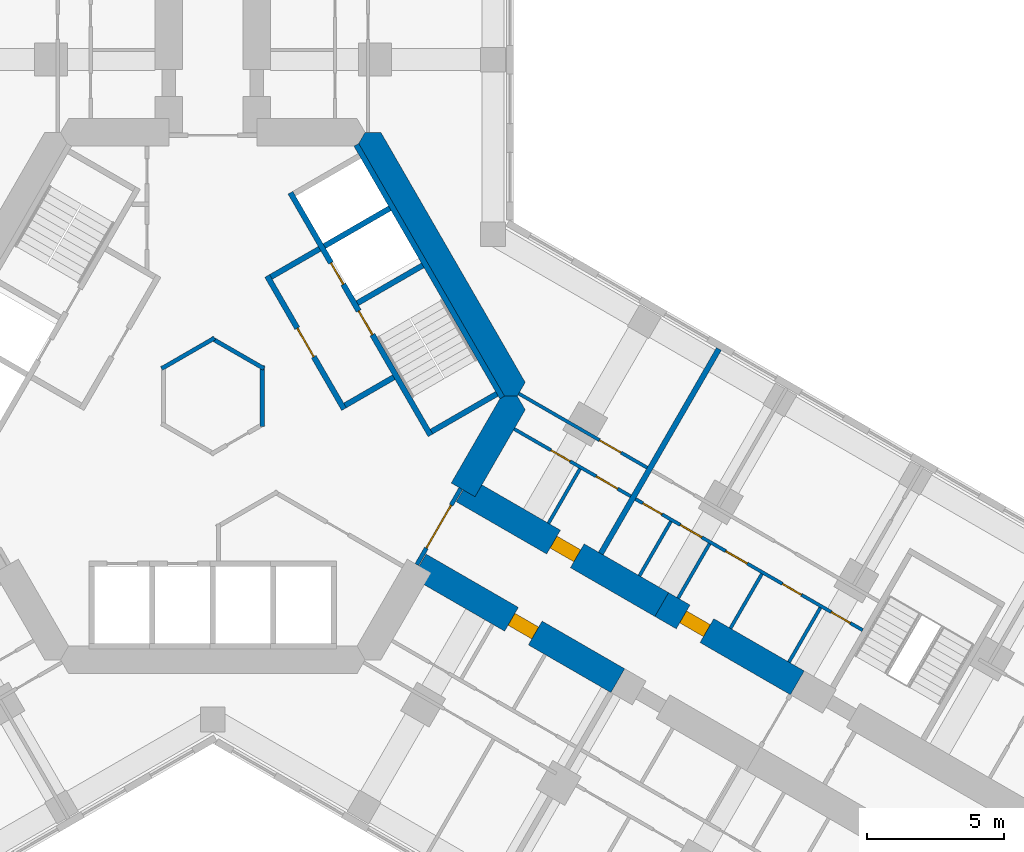
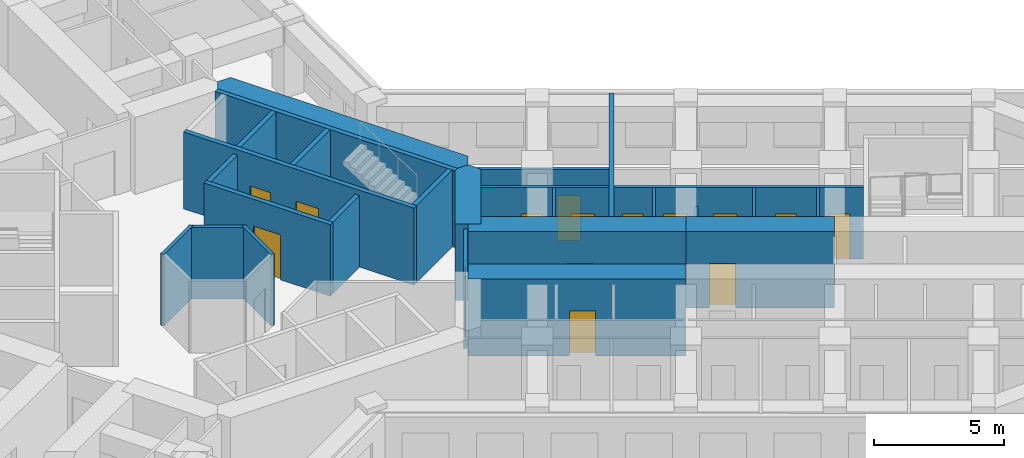
# One storey, part 16 of 22: 26 walls, 15 doors, 15 openings.
"""IFC4 building model written with IfcOpenShell, lengths in metres."""

from ifc_helpers import new_model, si_unit, direction, frame, frame_2d, origin, place, context, subcontext, project, spatial, polyline, rectangle, outline, extrude, material, layer, layer_set, type_object, element, fill, save


model = new_model("IFC4")

# Units and contexts
model_context = context("Model", 3, precision=1e-05, world=origin(), true_north=direction((0.0, 1.0)))
body_context = subcontext(model_context, "Body", "Model", "MODEL_VIEW")
ifc_project = project(units=[si_unit("LENGTHUNIT", "METRE"), si_unit("AREAUNIT", "SQUARE_METRE"), si_unit("VOLUMEUNIT", "CUBIC_METRE"), si_unit("PLANEANGLEUNIT", "RADIAN"), si_unit("MASSUNIT", "GRAM", prefix="KILO")], contexts=[model_context])

# Site, building, storey
site_placement = place(None, origin())
site = spatial("IfcSite", under=ifc_project, at=site_placement, CompositionType="ELEMENT")
building_placement = place(site_placement, origin())
building = spatial("IfcBuilding", under=site, at=building_placement, Name="Kosmar Iwan School Tower", CompositionType="ELEMENT")
storey_placement = place(building_placement, frame((0.0, 0.0, 91.60009765625)))
storey = spatial("IfcBuildingStorey", under=building, at=storey_placement, Name="L22", CompositionType="ELEMENT", Elevation=91.60009765625)

# Walls
ifc_material_1 = material(Name="Gypsum board on steel studs, fire-rated", Category="steel")
ifc_layer_1 = layer(ifc_material_1, 0.14990234375)
ifc_layer_set_1 = layer_set([ifc_layer_1], Name="Core room partition 150")
wall_type_1 = type_object("IfcWallType", Name="Core room partition 150", PredefinedType="PARTITIONING", material=ifc_layer_set_1)
for number, where, z_axis, x_axis, name in (
    (1, (-1.864990234375, 1.001708984375, 0.0), (0.0, 0.0, 1.0), (0.866023215828, 0.500003789632, 0.0), "Core room partition L22-CW7"),
    (2, (-0.06494140625, 2.115966796875, 0.0), (0.0, 0.0, 1.0), (0.866023215828, -0.500003789632, 0.0), "Core room partition L22-CW8"),
    (3, (1.800048828125, 1.1142578125, 0.0), (0.0, 0.0, 1.0), (0.0, -1.0, 0.0), "Core room partition L22-CW9"),
):
    element("IfcWall", number, at=place(storey_placement, frame(where, z_axis=z_axis, x_axis=x_axis)), inside=storey, type_object=wall_type_1, Name=name, PredefinedType="PARTITIONING", context=body_context, shape_type="SweptSolid", body=[
        extrude(rectangle(XDim=2.228515625, YDim=0.14990234375, at=frame_2d((1.1142578125, 0.0))), origin(), (0.0, 0.0, 1.0), 3.349853515625),
    ])
ifc_material_2 = material(Name="Concrete C50/60", Category="concrete")
ifc_layer_2 = layer(ifc_material_2, 1.0)
ifc_layer_set_2 = layer_set([ifc_layer_2], Name="Core wall 1000")
wall_type_2 = type_object("IfcWallType", Name="Core wall 1000", PredefinedType="SHEAR", material=ifc_layer_set_2)
wall_1_placement = place(storey_placement, origin())
element("IfcWall", 4, at=wall_1_placement, inside=storey, type_object=wall_type_2, Name="Core wall F030", PredefinedType="SHEAR", context=body_context, shape_type="SweptSolid", body=[
    extrude(outline(polyline([(10.5078125, 0.0), (11.085205078125, 0.0), (11.373779296875, 0.5), (6.119873046875, 9.60009765625), (5.54248046875, 9.60009765625), (5.25390625, 9.10009765625), (10.5078125, 0.0)])), origin(), (0.0, 0.0, 1.0), 3.599853515625),
])
wall_2_placement = place(storey_placement, origin())
element("IfcWall", 5, at=wall_2_placement, inside=storey, type_object=wall_type_2, Name="Core wall F330b", PredefinedType="SHEAR", context=body_context, shape_type="SweptSolid", body=[
    extrude(outline(polyline([(9.546875, -3.664306640625), (11.373779296875, -0.5), (11.085205078125, 0.0), (10.5078125, 0.0), (8.680908203125, -3.164306640625), (9.546875, -3.664306640625)])), origin(), (0.0, 0.0, 1.0), 3.599853515625),
])

# Wall, opening, door
ifc_material_3 = material(Name="Concrete C50/60", Category="concrete")
ifc_layer_3 = layer(ifc_material_3, 1.0)
ifc_layer_set_3 = layer_set([ifc_layer_3], Name="Corridor buttress wall 1000")
wall_type_3 = type_object("IfcWallType", Name="Corridor buttress wall 1000", PredefinedType="SHEAR", material=ifc_layer_set_3)
wall_3_placement = place(storey_placement, frame((9.11376953125, -3.414306640625, 0.0), z_axis=(0.0, 0.0, 1.0), x_axis=(0.866026859388, -0.499997478812, 0.0)))
wall_3 = element("IfcWall", 6, at=wall_3_placement, inside=storey, type_object=wall_type_3, Name="Corridor wall CL", PredefinedType="SHEAR", context=body_context, shape_type="SweptSolid", body=[
    extrude(rectangle(XDim=8.35009765625, YDim=1.0, at=frame_2d((4.175048828125, 0.0))), origin(), (0.0, 0.0, 1.0), 3.599853515625),
])
opening_1_placement = place(wall_3_placement, frame((3.800048828125, 0.0, 0.0)))
opening_1 = element("IfcOpeningElement", 7, at=opening_1_placement, cuts=wall_3, Name="Opening D1", PredefinedType="OPENING", context=body_context, shape_type="SweptSolid", body=[
    extrude(rectangle(XDim=1.0, YDim=2.10009765625, at=frame_2d((0.5, 1.050048828125))), frame((0.0, 0.511962890625, 0.0), z_axis=(0.0, -1.0, 0.0), x_axis=(1.0, 0.0, 0.0)), (0.0, 0.0, 1.0), 1.02392578125),
])
ifc_material_4 = material(Name="Timber fire door in steel frame", Category="steel")
door_type_1 = type_object("IfcDoorType", Name="Flat entrance door 1000x2100", OperationType="SINGLE_SWING_LEFT", PredefinedType="DOOR", material=ifc_material_4)
door_1_placement = place(opening_1_placement, origin())
door_1 = element("IfcDoor", 8, at=door_1_placement, inside=storey, type_object=door_type_1, Name="Flat L22-CL1 entrance door", OperationType="SINGLE_SWING_LEFT", OverallHeight=2.10009765625, OverallWidth=1.0, PredefinedType="DOOR", context=body_context, shape_type="SweptSolid", body=[
    extrude(rectangle(XDim=1.0, YDim=2.10009765625, at=frame_2d((0.5, 1.050048828125))), frame((0.0, 0.25, 0.0), z_axis=(0.0, -1.0, 0.0), x_axis=(1.0, 0.0, 0.0)), (0.0, 0.0, 1.0), 0.5),
])
fill(opening_1, door_1)

wall_4_placement = place(storey_placement, frame((16.34521484375, -7.58935546875, 0.0), z_axis=(0.0, 0.0, 1.0), x_axis=(0.866015111908, -0.50001782563, 0.0)))
wall_4 = element("IfcWall", 9, at=wall_4_placement, inside=storey, type_object=wall_type_3, Name="Corridor wall CL bay 2", PredefinedType="SHEAR", context=body_context, shape_type="SweptSolid", body=[
    extrude(rectangle(XDim=5.699951171875, YDim=1.0, at=frame_2d((2.85009765625, 0.0))), origin(), (0.0, 0.0, 1.0), 3.599853515625),
])
opening_2_placement = place(wall_4_placement, frame((0.89990234375, 0.0, 0.0)))
opening_2 = element("IfcOpeningElement", 10, at=opening_2_placement, cuts=wall_4, Name="Opening D1", PredefinedType="OPENING", context=body_context, shape_type="SweptSolid", body=[
    extrude(rectangle(XDim=1.0, YDim=2.10009765625, at=frame_2d((0.5, 1.050048828125))), frame((0.0, 0.511962890625, 0.0), z_axis=(0.0, -1.0, 0.0), x_axis=(1.0, 0.0, 0.0)), (0.0, 0.0, 1.0), 1.02392578125),
])
door_2_placement = place(opening_2_placement, origin())
door_2 = element("IfcDoor", 11, at=door_2_placement, inside=storey, type_object=door_type_1, Name="Flat L22-CL2 entrance door", OperationType="SINGLE_SWING_LEFT", OverallHeight=2.10009765625, OverallWidth=1.0, PredefinedType="DOOR", context=body_context, shape_type="SweptSolid", body=[
    extrude(rectangle(XDim=1.0, YDim=2.10009765625, at=frame_2d((0.5, 1.050048828125))), frame((0.0, 0.25, 0.0), z_axis=(0.0, -1.0, 0.0), x_axis=(1.0, 0.0, 0.0)), (0.0, 0.0, 1.0), 0.5),
])
fill(opening_2, door_2)

wall_5_placement = place(storey_placement, frame((7.513916015625, -6.185546875, 0.0), z_axis=(0.0, 0.0, 1.0), x_axis=(0.866019549707, -0.500010139422, 0.0)))
wall_5 = element("IfcWall", 12, at=wall_5_placement, inside=storey, type_object=wall_type_3, Name="Corridor wall CR", PredefinedType="SHEAR", context=body_context, shape_type="SweptSolid", body=[
    extrude(rectangle(XDim=8.349853515625, YDim=1.0, at=frame_2d((4.1748046875, 0.0))), origin(), (0.0, 0.0, 1.0), 3.599853515625),
])
opening_3_placement = place(wall_5_placement, frame((3.8798828125, 0.0, 0.0)))
opening_3 = element("IfcOpeningElement", 13, at=opening_3_placement, cuts=wall_5, Name="Opening D1", PredefinedType="OPENING", context=body_context, shape_type="SweptSolid", body=[
    extrude(rectangle(XDim=1.0, YDim=2.10009765625, at=frame_2d((0.5, 1.050048828125))), frame((0.0, 0.511962890625, 0.0), z_axis=(0.0, -1.0, 0.0), x_axis=(1.0, 0.0, 0.0)), (0.0, 0.0, 1.0), 1.02392578125),
])
door_3_placement = place(opening_3_placement, origin())
door_3 = element("IfcDoor", 14, at=door_3_placement, inside=storey, type_object=door_type_1, Name="Flat L22-CR1 entrance door", OperationType="SINGLE_SWING_RIGHT", OverallHeight=2.10009765625, OverallWidth=1.0, PredefinedType="DOOR", context=body_context, shape_type="SweptSolid", body=[
    extrude(rectangle(XDim=1.0, YDim=2.10009765625, at=frame_2d((0.5, 1.050048828125))), frame((0.0, 0.25, 0.0), z_axis=(0.0, -1.0, 0.0), x_axis=(1.0, 0.0, 0.0)), (0.0, 0.0, 1.0), 0.5),
])
fill(opening_3, door_3)

ifc_material_5 = material(Name="Steel framed glazed screen", Category="steel")
ifc_layer_4 = layer(ifc_material_5, 0.14990234375)
ifc_layer_set_4 = layer_set([ifc_layer_4], Name="Corridor screen wall 150")
wall_type_4 = type_object("IfcWallType", Name="Corridor screen wall 150", PredefinedType="PARTITIONING", material=ifc_layer_set_4)
wall_6_placement = place(storey_placement, frame((7.42724609375, -6.1357421875, 0.0), z_axis=(0.0, 0.0, 1.0), x_axis=(0.499995408039, 0.866028054938, 0.0)))
wall_6 = element("IfcWall", 15, at=wall_6_placement, inside=storey, type_object=wall_type_4, Name="Corridor screen C L22", PredefinedType="PARTITIONING", context=body_context, shape_type="SweptSolid", body=[
    extrude(rectangle(XDim=3.2001953125, YDim=0.14990234375, at=frame_2d((1.60009765625, 0.0))), origin(), (0.0, 0.0, 1.0), 3.349853515625),
])
opening_4_placement = place(wall_6_placement, frame((0.699951171875, 0.0, 0.0)))
opening_4 = element("IfcOpeningElement", 16, at=opening_4_placement, cuts=wall_6, Name="Opening D9", PredefinedType="OPENING", context=body_context, shape_type="SweptSolid", body=[
    extrude(rectangle(XDim=1.800048828125, YDim=2.10009765625, at=frame_2d((0.89990234375, 1.050048828125))), frame((0.0, 0.0869140625, 0.0), z_axis=(0.0, -1.0, 0.0), x_axis=(1.0, 0.0, 0.0)), (0.0, 0.0, 1.0), 0.173828125),
])
ifc_material_6 = material(Name="Steel framed glazed smoke door", Category="steel")
door_type_2 = type_object("IfcDoorType", Name="Corridor smoke door pair 1800x2100", OperationType="DOUBLE_DOOR_DOUBLE_SWING", PredefinedType="DOOR", material=ifc_material_6)
door_4_placement = place(opening_4_placement, origin())
door_4 = element("IfcDoor", 17, at=door_4_placement, inside=storey, type_object=door_type_2, Name="Corridor doors C L22", OperationType="DOUBLE_DOOR_DOUBLE_SWING", OverallHeight=2.10009765625, OverallWidth=1.800048828125, PredefinedType="DOOR", context=body_context, shape_type="SweptSolid", body=[
    extrude(rectangle(XDim=1.800048828125, YDim=2.10009765625, at=frame_2d((0.89990234375, 1.050048828125))), frame((0.0, 0.02490234375, 0.0), z_axis=(0.0, -1.0, 0.0), x_axis=(1.0, 0.0, 0.0)), (0.0, 0.0, 1.0), 0.050048828125),
])
fill(opening_4, door_4)

# Wall, openings, doors
ifc_material_7 = material(Name="Gypsum board on steel studs", Category="steel")
ifc_layer_5 = layer(ifc_material_7, 0.1201171875)
ifc_layer_set_5 = layer_set([ifc_layer_5], Name="Dwelling partition 120")
wall_type_5 = type_object("IfcWallType", Name="Dwelling partition 120", PredefinedType="PARTITIONING", material=ifc_layer_set_5)
wall_7_placement = place(storey_placement, frame((10.971923828125, -1.1962890625, 0.0), z_axis=(0.0, 0.0, 1.0), x_axis=(0.866023786258, -0.500002801628, 0.0)))
wall_7 = element("IfcWall", 18, at=wall_7_placement, inside=storey, type_object=wall_type_5, Name="Partition L22-CL1-W1", PredefinedType="PARTITIONING", context=body_context, shape_type="SweptSolid", body=[
    extrude(rectangle(XDim=4.89990234375, YDim=0.1201171875, at=frame_2d((2.449951171875, 0.0))), origin(), (0.0, 0.0, 1.0), 3.349853515625),
])
opening_5_placement = place(wall_7_placement, frame((1.550048828125, 0.0, 0.0)))
opening_5 = element("IfcOpeningElement", 19, at=opening_5_placement, cuts=wall_7, Name="Opening D3", PredefinedType="OPENING", context=body_context, shape_type="SweptSolid", body=[
    extrude(rectangle(XDim=0.800048828125, YDim=2.10009765625, at=frame_2d((0.39990234375, 1.050048828125))), frame((0.0, 0.072021484375, 0.0), z_axis=(0.0, -1.0, 0.0), x_axis=(1.0, 0.0, 0.0)), (0.0, 0.0, 1.0), 0.14404296875),
])
opening_6_placement = place(wall_7_placement, frame((3.449951171875, 0.0, 0.0)))
opening_6 = element("IfcOpeningElement", 20, at=opening_6_placement, cuts=wall_7, Name="Opening D2", PredefinedType="OPENING", context=body_context, shape_type="SweptSolid", body=[
    extrude(rectangle(XDim=0.89990234375, YDim=2.10009765625, at=frame_2d((0.449951171875, 1.050048828125))), frame((0.0, 0.072021484375, 0.0), z_axis=(0.0, -1.0, 0.0), x_axis=(1.0, 0.0, 0.0)), (0.0, 0.0, 1.0), 0.14404296875),
])
ifc_material_8 = material(Name="Timber door in timber frame", Category="wood")
door_type_3 = type_object("IfcDoorType", Name="Internal door 900x2100", OperationType="SINGLE_SWING_LEFT", PredefinedType="DOOR", material=ifc_material_8)
door_5_placement = place(opening_6_placement, origin())
door_5 = element("IfcDoor", 21, at=door_5_placement, inside=storey, type_object=door_type_3, Name="Entrance hall door L22-CL1-S2", OperationType="SINGLE_SWING_RIGHT", OverallHeight=2.10009765625, OverallWidth=0.89990234375, PredefinedType="DOOR", context=body_context, shape_type="SweptSolid", body=[
    extrude(rectangle(XDim=0.89990234375, YDim=2.10009765625, at=frame_2d((0.449951171875, 1.050048828125))), frame((0.0, 0.02490234375, 0.0), z_axis=(0.0, -1.0, 0.0), x_axis=(1.0, 0.0, 0.0)), (0.0, 0.0, 1.0), 0.050048828125),
])
fill(opening_6, door_5)
ifc_material_9 = material(Name="Timber door in timber frame", Category="wood")
door_type_4 = type_object("IfcDoorType", Name="Sanitary room door 800x2100", OperationType="SINGLE_SWING_LEFT", PredefinedType="DOOR", material=ifc_material_9)
door_6_placement = place(opening_5_placement, origin())
door_6 = element("IfcDoor", 22, at=door_6_placement, inside=storey, type_object=door_type_4, Name="Bathroom door L22-CL1-S1", OperationType="SINGLE_SWING_LEFT", OverallHeight=2.10009765625, OverallWidth=0.800048828125, PredefinedType="DOOR", context=body_context, shape_type="SweptSolid", body=[
    extrude(rectangle(XDim=0.800048828125, YDim=2.10009765625, at=frame_2d((0.39990234375, 1.050048828125))), frame((0.0, 0.02490234375, 0.0), z_axis=(0.0, -1.0, 0.0), x_axis=(1.0, 0.0, 0.0)), (0.0, 0.0, 1.0), 0.050048828125),
])
fill(opening_5, door_6)

# Wall, opening, door
wall_8_placement = place(storey_placement, frame((11.138916015625, 0.093017578125, 0.0), z_axis=(0.0, 0.0, 1.0), x_axis=(0.866028230842, -0.499995103361, 0.0)))
wall_8 = element("IfcWall", 23, at=wall_8_placement, inside=storey, type_object=wall_type_5, Name="Partition L22-CL1-W2", PredefinedType="PARTITIONING", context=body_context, shape_type="SweptSolid", body=[
    extrude(rectangle(XDim=5.39990234375, YDim=0.1201171875, at=frame_2d((2.699951171875, 0.0))), origin(), (0.0, 0.0, 1.0), 3.349853515625),
])
opening_7_placement = place(wall_8_placement, frame((3.39990234375, 0.0, 0.0)))
opening_7 = element("IfcOpeningElement", 24, at=opening_7_placement, cuts=wall_8, Name="Opening D2", PredefinedType="OPENING", context=body_context, shape_type="SweptSolid", body=[
    extrude(rectangle(XDim=0.89990234375, YDim=2.10009765625, at=frame_2d((0.449951171875, 1.050048828125))), frame((0.0, 0.072021484375, 0.0), z_axis=(0.0, -1.0, 0.0), x_axis=(1.0, 0.0, 0.0)), (0.0, 0.0, 1.0), 0.14404296875),
])
door_7_placement = place(opening_7_placement, origin())
door_7 = element("IfcDoor", 25, at=door_7_placement, inside=storey, type_object=door_type_3, Name="Studio living room and kitchen door L22-CL1-F1", OperationType="SINGLE_SWING_RIGHT", OverallHeight=2.10009765625, OverallWidth=0.89990234375, PredefinedType="DOOR", context=body_context, shape_type="SweptSolid", body=[
    extrude(rectangle(XDim=0.89990234375, YDim=2.10009765625, at=frame_2d((0.449951171875, 1.050048828125))), frame((0.0, 0.02490234375, 0.0), z_axis=(0.0, -1.0, 0.0), x_axis=(1.0, 0.0, 0.0)), (0.0, 0.0, 1.0), 0.050048828125),
])
fill(opening_7, door_7)

# Wall
wall_9_placement = place(storey_placement, frame((12.2216796875, -4.63134765625, 0.0), z_axis=(0.0, 0.0, 1.0), x_axis=(0.500014693593, 0.866016920268, 0.0)))
element("IfcWall", 26, at=wall_9_placement, inside=storey, type_object=wall_type_5, Name="Partition L22-CL1-Y1", PredefinedType="PARTITIONING", context=body_context, shape_type="SweptSolid", body=[
    extrude(rectangle(XDim=2.2900390625, YDim=0.1201171875, at=frame_2d((1.14501953125, 0.0))), origin(), (0.0, 0.0, 1.0), 3.349853515625),
])

# Wall, openings, doors
wall_10_placement = place(storey_placement, frame((15.388671875, -3.74609375, 0.0), z_axis=(0.0, 0.0, 1.0), x_axis=(0.866017851049, -0.500013081493, 0.0)))
wall_10 = element("IfcWall", 27, at=wall_10_placement, inside=storey, type_object=wall_type_5, Name="Partition L22-CL2-W1", PredefinedType="PARTITIONING", context=body_context, shape_type="SweptSolid", body=[
    extrude(rectangle(XDim=9.550048828125, YDim=0.1201171875, at=frame_2d((4.77490234375, 0.0))), origin(), (0.0, 0.0, 1.0), 3.349853515625),
])
opening_8_placement = place(wall_10_placement, frame((0.3125, 0.0, 0.0)))
opening_8 = element("IfcOpeningElement", 28, at=opening_8_placement, cuts=wall_10, Name="Opening D3", PredefinedType="OPENING", context=body_context, shape_type="SweptSolid", body=[
    extrude(rectangle(XDim=0.800048828125, YDim=2.10009765625, at=frame_2d((0.39990234375, 1.050048828125))), frame((0.0, 0.072021484375, 0.0), z_axis=(0.0, -1.0, 0.0), x_axis=(1.0, 0.0, 0.0)), (0.0, 0.0, 1.0), 0.14404296875),
])
opening_9_placement = place(wall_10_placement, frame((1.887451171875, 0.0, 0.0)))
opening_9 = element("IfcOpeningElement", 29, at=opening_9_placement, cuts=wall_10, Name="Opening D2", PredefinedType="OPENING", context=body_context, shape_type="SweptSolid", body=[
    extrude(rectangle(XDim=0.89990234375, YDim=2.10009765625, at=frame_2d((0.449951171875, 1.050048828125))), frame((0.0, 0.072021484375, 0.0), z_axis=(0.0, -1.0, 0.0), x_axis=(1.0, 0.0, 0.0)), (0.0, 0.0, 1.0), 0.14404296875),
])
opening_10_placement = place(wall_10_placement, frame((3.800048828125, 0.0, 0.0)))
opening_10 = element("IfcOpeningElement", 30, at=opening_10_placement, cuts=wall_10, Name="Opening D2", PredefinedType="OPENING", context=body_context, shape_type="SweptSolid", body=[
    extrude(rectangle(XDim=0.89990234375, YDim=2.10009765625, at=frame_2d((0.449951171875, 1.050048828125))), frame((0.0, 0.072021484375, 0.0), z_axis=(0.0, -1.0, 0.0), x_axis=(1.0, 0.0, 0.0)), (0.0, 0.0, 1.0), 0.14404296875),
])
opening_11_placement = place(wall_10_placement, frame((6.179931640625, 0.0, 0.0)))
opening_11 = element("IfcOpeningElement", 31, at=opening_11_placement, cuts=wall_10, Name="Opening D3", PredefinedType="OPENING", context=body_context, shape_type="SweptSolid", body=[
    extrude(rectangle(XDim=0.800048828125, YDim=2.10009765625, at=frame_2d((0.39990234375, 1.050048828125))), frame((0.0, 0.072021484375, 0.0), z_axis=(0.0, -1.0, 0.0), x_axis=(1.0, 0.0, 0.0)), (0.0, 0.0, 1.0), 0.14404296875),
])
opening_12_placement = place(wall_10_placement, frame((8.22998046875, 0.0, 0.0)))
opening_12 = element("IfcOpeningElement", 32, at=opening_12_placement, cuts=wall_10, Name="Opening D3", PredefinedType="OPENING", context=body_context, shape_type="SweptSolid", body=[
    extrude(rectangle(XDim=0.800048828125, YDim=2.10009765625, at=frame_2d((0.39990234375, 1.050048828125))), frame((0.0, 0.072021484375, 0.0), z_axis=(0.0, -1.0, 0.0), x_axis=(1.0, 0.0, 0.0)), (0.0, 0.0, 1.0), 0.14404296875),
])
door_8_placement = place(opening_9_placement, frame((0.89990234375, 0.0, 0.0), z_axis=(0.0, 0.0, 1.0), x_axis=(-1.0, 0.0, 0.0)))
door_8 = element("IfcDoor", 33, at=door_8_placement, inside=storey, type_object=door_type_3, Name="Pantry door L22-CL2-S2", OperationType="SINGLE_SWING_RIGHT", OverallHeight=2.10009765625, OverallWidth=0.89990234375, PredefinedType="DOOR", context=body_context, shape_type="SweptSolid", body=[
    extrude(rectangle(XDim=0.89990234375, YDim=2.10009765625, at=frame_2d((0.449951171875, 1.050048828125))), frame((0.0, 0.02490234375, 0.0), z_axis=(0.0, -1.0, 0.0), x_axis=(1.0, 0.0, 0.0)), (0.0, 0.0, 1.0), 0.050048828125),
])
fill(opening_9, door_8)
door_9_placement = place(opening_10_placement, origin())
door_9 = element("IfcDoor", 34, at=door_9_placement, inside=storey, type_object=door_type_3, Name="Entrance hall door L22-CL2-S3", OperationType="SINGLE_SWING_LEFT", OverallHeight=2.10009765625, OverallWidth=0.89990234375, PredefinedType="DOOR", context=body_context, shape_type="SweptSolid", body=[
    extrude(rectangle(XDim=0.89990234375, YDim=2.10009765625, at=frame_2d((0.449951171875, 1.050048828125))), frame((0.0, 0.02490234375, 0.0), z_axis=(0.0, -1.0, 0.0), x_axis=(1.0, 0.0, 0.0)), (0.0, 0.0, 1.0), 0.050048828125),
])
fill(opening_10, door_9)
door_10_placement = place(opening_8_placement, origin())
door_10 = element("IfcDoor", 35, at=door_10_placement, inside=storey, type_object=door_type_4, Name="Store door L22-CL2-S1", OperationType="SINGLE_SWING_LEFT", OverallHeight=2.10009765625, OverallWidth=0.800048828125, PredefinedType="DOOR", context=body_context, shape_type="SweptSolid", body=[
    extrude(rectangle(XDim=0.800048828125, YDim=2.10009765625, at=frame_2d((0.39990234375, 1.050048828125))), frame((0.0, 0.02490234375, 0.0), z_axis=(0.0, -1.0, 0.0), x_axis=(1.0, 0.0, 0.0)), (0.0, 0.0, 1.0), 0.050048828125),
])
fill(opening_8, door_10)
door_11_placement = place(opening_11_placement, origin())
door_11 = element("IfcDoor", 36, at=door_11_placement, inside=storey, type_object=door_type_4, Name="Bathroom door L22-CL2-S4", OperationType="SINGLE_SWING_RIGHT", OverallHeight=2.10009765625, OverallWidth=0.800048828125, PredefinedType="DOOR", context=body_context, shape_type="SweptSolid", body=[
    extrude(rectangle(XDim=0.800048828125, YDim=2.10009765625, at=frame_2d((0.39990234375, 1.050048828125))), frame((0.0, 0.02490234375, 0.0), z_axis=(0.0, -1.0, 0.0), x_axis=(1.0, 0.0, 0.0)), (0.0, 0.0, 1.0), 0.050048828125),
])
fill(opening_11, door_11)
door_12_placement = place(opening_12_placement, origin())
door_12 = element("IfcDoor", 37, at=door_12_placement, inside=storey, type_object=door_type_4, Name="WC door L22-CL2-S5", OperationType="SINGLE_SWING_RIGHT", OverallHeight=2.10009765625, OverallWidth=0.800048828125, PredefinedType="DOOR", context=body_context, shape_type="SweptSolid", body=[
    extrude(rectangle(XDim=0.800048828125, YDim=2.10009765625, at=frame_2d((0.39990234375, 1.050048828125))), frame((0.0, 0.02490234375, 0.0), z_axis=(0.0, -1.0, 0.0), x_axis=(1.0, 0.0, 0.0)), (0.0, 0.0, 1.0), 0.050048828125),
])
fill(opening_12, door_12)

# Walls
wall_11_placement = place(storey_placement, frame((15.5341796875, -6.5439453125, 0.0), z_axis=(0.0, 0.0, 1.0), x_axis=(0.499968531483, 0.866043571379, 0.0)))
element("IfcWall", 38, at=wall_11_placement, inside=storey, type_object=wall_type_5, Name="Partition L22-CL2-Y1", PredefinedType="PARTITIONING", context=body_context, shape_type="SweptSolid", body=[
    extrude(rectangle(XDim=2.290283203125, YDim=0.1201171875, at=frame_2d((1.14501953125, 0.0))), origin(), (0.0, 0.0, 1.0), 3.349853515625),
])
wall_12_placement = place(storey_placement, frame((16.941650390625, -7.3564453125, 0.0), z_axis=(0.0, 0.0, 1.0), x_axis=(0.499968531483, 0.866043571379, 0.0)))
element("IfcWall", 39, at=wall_12_placement, inside=storey, type_object=wall_type_5, Name="Partition L22-CL2-Y2", PredefinedType="PARTITIONING", context=body_context, shape_type="SweptSolid", body=[
    extrude(rectangle(XDim=2.290283203125, YDim=0.1201171875, at=frame_2d((1.14501953125, 0.0))), origin(), (0.0, 0.0, 1.0), 2.449951171875),
])
for number, where, z_axis, x_axis, name in (
    (40, (18.846923828125, -8.456298828125, 0.0), (0.0, 0.0, 1.0), (0.500014693593, 0.866016920268, 0.0), "Partition L22-CL2-Y3"),
    (41, (20.977294921875, -9.686279296875, 0.0), (0.0, 0.0, 1.0), (0.500014693593, 0.866016920268, 0.0), "Partition L22-CL2-Y4"),
):
    element("IfcWall", number, at=place(storey_placement, frame(where, z_axis=z_axis, x_axis=x_axis)), inside=storey, type_object=wall_type_5, Name=name, PredefinedType="PARTITIONING", context=body_context, shape_type="SweptSolid", body=[
        extrude(rectangle(XDim=2.2900390625, YDim=0.1201171875, at=frame_2d((1.14501953125, 0.0))), origin(), (0.0, 0.0, 1.0), 3.349853515625),
    ])

# Wall, opening, door
ifc_material_10 = material(Name="Concrete block masonry", Category="masonry")
ifc_layer_6 = layer(ifc_material_10, 0.199951171875)
ifc_layer_set_6 = layer_set([ifc_layer_6], Name="Fire lobby wall 200")
wall_type_6 = type_object("IfcWallType", Name="Fire lobby wall 200", PredefinedType="PARTITIONING", material=ifc_layer_set_6)
wall_13_placement = place(storey_placement, frame((4.777587890625, -0.474853515625, 0.0), z_axis=(0.0, 0.0, 1.0), x_axis=(-0.500016814911, 0.866015695474, 0.0)))
wall_13 = element("IfcWall", 42, at=wall_13_placement, inside=storey, type_object=wall_type_6, Name="Firefighting lobby wall ST1", PredefinedType="PARTITIONING", context=body_context, shape_type="SweptSolid", body=[
    extrude(rectangle(XDim=5.599853515625, YDim=0.199951171875, at=frame_2d((2.7998046875, 0.0))), origin(), (0.0, 0.0, 1.0), 3.349853515625),
])
opening_13_placement = place(wall_13_placement, frame((2.199951171875, 0.0, 0.0)))
opening_13 = element("IfcOpeningElement", 43, at=opening_13_placement, cuts=wall_13, Name="Opening D7", PredefinedType="OPENING", context=body_context, shape_type="SweptSolid", body=[
    extrude(rectangle(XDim=1.199951171875, YDim=2.10009765625, at=frame_2d((0.60009765625, 1.050048828125))), frame((0.0, 0.112060546875, 0.0), z_axis=(0.0, -1.0, 0.0), x_axis=(1.0, 0.0, 0.0)), (0.0, 0.0, 1.0), 0.223876953125),
])
ifc_material_11 = material(Name="Steel fire door", Category="steel")
door_type_5 = type_object("IfcDoorType", Name="Fire lobby door 1200x2100", OperationType="SINGLE_SWING_LEFT", PredefinedType="DOOR", material=ifc_material_11)
door_13_placement = place(opening_13_placement, origin())
door_13 = element("IfcDoor", 44, at=door_13_placement, inside=storey, type_object=door_type_5, Name="Firefighting lobby door ST1 L22", OperationType="SINGLE_SWING_RIGHT", OverallHeight=2.10009765625, OverallWidth=1.199951171875, PredefinedType="DOOR", context=body_context, shape_type="SweptSolid", body=[
    extrude(rectangle(XDim=1.199951171875, YDim=2.10009765625, at=frame_2d((0.60009765625, 1.050048828125))), frame((0.0, 0.02490234375, 0.0), z_axis=(0.0, -1.0, 0.0), x_axis=(1.0, 0.0, 0.0)), (0.0, 0.0, 1.0), 0.050048828125),
])
fill(opening_13, door_13)

# Walls
wall_14_placement = place(storey_placement, frame((4.814208984375, -0.33837890625, 0.0), z_axis=(0.0, 0.0, 1.0), x_axis=(0.865969381856, 0.500097020274, 0.0)))
element("IfcWall", 45, at=wall_14_placement, inside=storey, type_object=wall_type_6, Name="Firefighting lobby wall ST1", PredefinedType="PARTITIONING", context=body_context, shape_type="SweptSolid", body=[
    extrude(rectangle(XDim=2.0498046875, YDim=0.199951171875, at=frame_2d((1.02490234375, 0.0))), origin(), (0.0, 0.0, 1.0), 3.349853515625),
])
wall_15_placement = place(storey_placement, frame((2.114013671875, 4.33837890625, 0.0), z_axis=(0.0, 0.0, 1.0), x_axis=(0.866050731258, 0.499956128963, 0.0)))
element("IfcWall", 46, at=wall_15_placement, inside=storey, type_object=wall_type_6, Name="Firefighting lobby wall ST1", PredefinedType="PARTITIONING", context=body_context, shape_type="SweptSolid", body=[
    extrude(rectangle(XDim=2.050048828125, YDim=0.199951171875, at=frame_2d((1.02490234375, 0.0))), origin(), (0.0, 0.0, 1.0), 3.349853515625),
])

# Wall, openings, doors
ifc_material_12 = material(Name="Concrete C50/60", Category="concrete")
ifc_layer_7 = layer(ifc_material_12, 0.199951171875)
ifc_layer_set_7 = layer_set([ifc_layer_7], Name="Lift shaft wall 200")
wall_type_7 = type_object("IfcWallType", Name="Lift shaft wall 200", PredefinedType="SHEAR", material=ifc_layer_set_7)
wall_16_placement = place(storey_placement, frame((7.926025390625, -1.42822265625, 0.0), z_axis=(0.0, 0.0, 1.0), x_axis=(-0.499998023675, 0.866026544813, 0.0)))
wall_16 = element("IfcWall", 47, at=wall_16_placement, inside=storey, type_object=wall_type_7, Name="Lift and stair front wall AC", PredefinedType="SHEAR", context=body_context, shape_type="SweptSolid", body=[
    extrude(rectangle(XDim=10.19970703125, YDim=0.199951171875, at=frame_2d((5.099853515625, 0.0))), origin(), (0.0, 0.0, 1.0), 3.599853515625),
])
opening_14_placement = place(wall_16_placement, frame((6.35009765625, 0.0, 0.0)))
opening_14 = element("IfcOpeningElement", 48, at=opening_14_placement, cuts=wall_16, Name="Opening LD2", PredefinedType="OPENING", context=body_context, shape_type="SweptSolid", body=[
    extrude(rectangle(XDim=0.89990234375, YDim=2.10009765625, at=frame_2d((0.449951171875, 1.050048828125))), frame((0.0, 0.112060546875, 0.0), z_axis=(0.0, -1.0, 0.0), x_axis=(1.0, 0.0, 0.0)), (0.0, 0.0, 1.0), 0.223876953125),
])
opening_15_placement = place(wall_16_placement, frame((4.22998046875, 0.0, 0.0)))
opening_15 = element("IfcOpeningElement", 49, at=opening_15_placement, cuts=wall_16, Name="Opening D6", PredefinedType="OPENING", context=body_context, shape_type="SweptSolid", body=[
    extrude(rectangle(XDim=1.0, YDim=2.10009765625, at=frame_2d((0.5, 1.050048828125))), frame((0.0, 0.112060546875, 0.0), z_axis=(0.0, -1.0, 0.0), x_axis=(1.0, 0.0, 0.0)), (0.0, 0.0, 1.0), 0.223876953125),
])
ifc_material_13 = material(Name="Stainless steel sliding lift door", Category="steel")
door_type_6 = type_object("IfcDoorType", Name="Firefighting lift landing door 900x2100", OperationType="SLIDING_TO_LEFT", PredefinedType="DOOR", material=ifc_material_13)
door_14_placement = place(opening_14_placement, origin())
door_14 = element("IfcDoor", 50, at=door_14_placement, inside=storey, type_object=door_type_6, Name="Lift FF1 landing door L22", OperationType="SLIDING_TO_LEFT", OverallHeight=2.10009765625, OverallWidth=0.89990234375, PredefinedType="DOOR", context=body_context, shape_type="SweptSolid", body=[
    extrude(rectangle(XDim=0.89990234375, YDim=2.10009765625, at=frame_2d((0.449951171875, 1.050048828125))), frame((0.0, 0.02490234375, 0.0), z_axis=(0.0, -1.0, 0.0), x_axis=(1.0, 0.0, 0.0)), (0.0, 0.0, 1.0), 0.050048828125),
])
fill(opening_14, door_14)
ifc_material_14 = material(Name="Steel fire door", Category="steel")
door_type_7 = type_object("IfcDoorType", Name="Stair door 1000x2100", OperationType="SINGLE_SWING_LEFT", PredefinedType="DOOR", material=ifc_material_14)
door_15_placement = place(opening_15_placement, origin())
door_15 = element("IfcDoor", 51, at=door_15_placement, inside=storey, type_object=door_type_7, Name="Stair ST1 door L22", OperationType="SINGLE_SWING_LEFT", OverallHeight=2.10009765625, OverallWidth=1.0, PredefinedType="DOOR", context=body_context, shape_type="SweptSolid", body=[
    extrude(rectangle(XDim=1.0, YDim=2.10009765625, at=frame_2d((0.5, 1.050048828125))), frame((0.0, 0.02490234375, 0.0), z_axis=(0.0, -1.0, 0.0), x_axis=(1.0, 0.0, 0.0)), (0.0, 0.0, 1.0), 0.050048828125),
])
fill(opening_15, door_15)

# Walls
wall_17_placement = place(storey_placement, frame((10.53662109375, -0.050048828125, 0.0), z_axis=(0.0, 0.0, 1.0), x_axis=(-0.499994998079, 0.866028291626, 0.0)))
element("IfcWall", 52, at=wall_17_placement, inside=storey, type_object=wall_type_7, Name="Lift and stair back wall AC", PredefinedType="SHEAR", context=body_context, shape_type="SweptSolid", body=[
    extrude(rectangle(XDim=10.623046875, YDim=0.199951171875, at=frame_2d((5.3115234375, 0.0))), origin(), (0.0, 0.0, 1.0), 3.599853515625),
])
wall_18_placement = place(storey_placement, frame((4.062744140625, 5.46337890625, 0.0), z_axis=(0.0, 0.0, 1.0), x_axis=(0.866027397988, 0.499996545922, 0.0)))
element("IfcWall", 53, at=wall_18_placement, inside=storey, type_object=wall_type_7, Name="Lift shaft wall AC 1", PredefinedType="SHEAR", context=body_context, shape_type="SweptSolid", body=[
    extrude(rectangle(XDim=2.75, YDim=0.199951171875, at=frame_2d((1.375, 0.0))), origin(), (0.0, 0.0, 1.0), 3.599853515625),
])
ifc_material_15 = material(Name="Concrete block masonry", Category="masonry")
ifc_layer_8 = layer(ifc_material_15, 0.199951171875)
ifc_layer_set_8 = layer_set([ifc_layer_8], Name="Party wall 200")
wall_type_8 = type_object("IfcWallType", Name="Party wall 200", PredefinedType="PARTITIONING", material=ifc_layer_set_8)
wall_19_placement = place(storey_placement, frame((14.126953125, -5.7314453125, 0.0), z_axis=(0.0, 0.0, 1.0), x_axis=(0.499995216735, 0.866028165386, 0.0)))
element("IfcWall", 54, at=wall_19_placement, inside=storey, type_object=wall_type_8, Name="Partition L22-CL2-PW", PredefinedType="PARTITIONING", context=body_context, shape_type="SweptSolid", body=[
    extrude(rectangle(XDim=8.60009765625, YDim=0.199951171875, at=frame_2d((4.300048828125, 0.0))), origin(), (0.0, 0.0, 1.0), 3.349853515625),
])
ifc_material_16 = material(Name="Concrete C50/60", Category="concrete")
ifc_layer_9 = layer(ifc_material_16, 0.199951171875)
ifc_layer_set_9 = layer_set([ifc_layer_9], Name="Stair enclosure wall 200")
wall_type_9 = type_object("IfcWallType", Name="Stair enclosure wall 200", PredefinedType="SHEAR", material=ifc_layer_set_9)
for number, where, z_axis, x_axis, name in (
    (55, (7.962646484375, -1.291748046875, 0.0), (0.0, 0.0, 1.0), (0.866027397988, 0.499996545922, 0.0), "Stair ST1 wall"),
    (56, (5.2626953125, 3.384765625, 0.0), (0.0, 0.0, 1.0), (0.866027397988, 0.499996545922, 0.0), "Stair ST1 wall"),
):
    element("IfcWall", number, at=place(storey_placement, frame(where, z_axis=z_axis, x_axis=x_axis)), inside=storey, type_object=wall_type_9, Name=name, PredefinedType="SHEAR", context=body_context, shape_type="SweptSolid", body=[
        extrude(rectangle(XDim=2.75, YDim=0.199951171875, at=frame_2d((1.375, 0.0))), origin(), (0.0, 0.0, 1.0), 3.599853515625),
    ])

save(model, "model.ifc")
